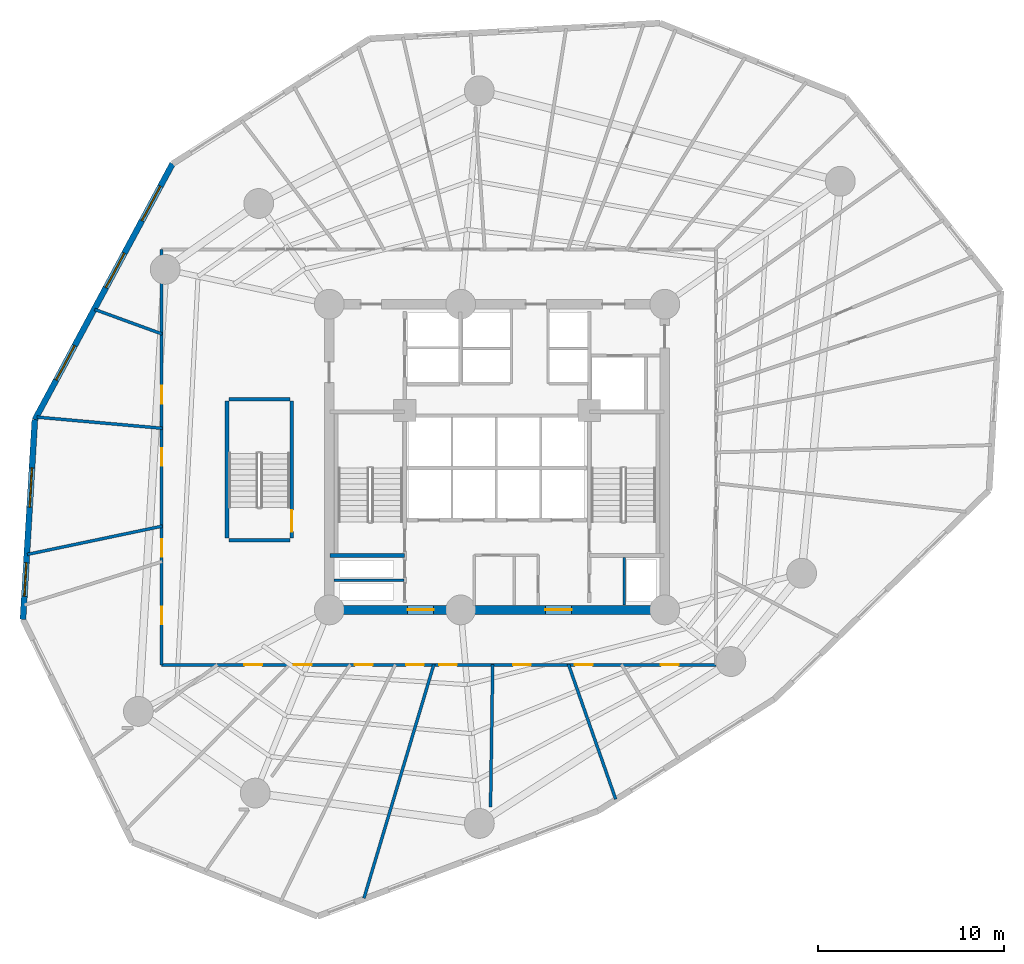
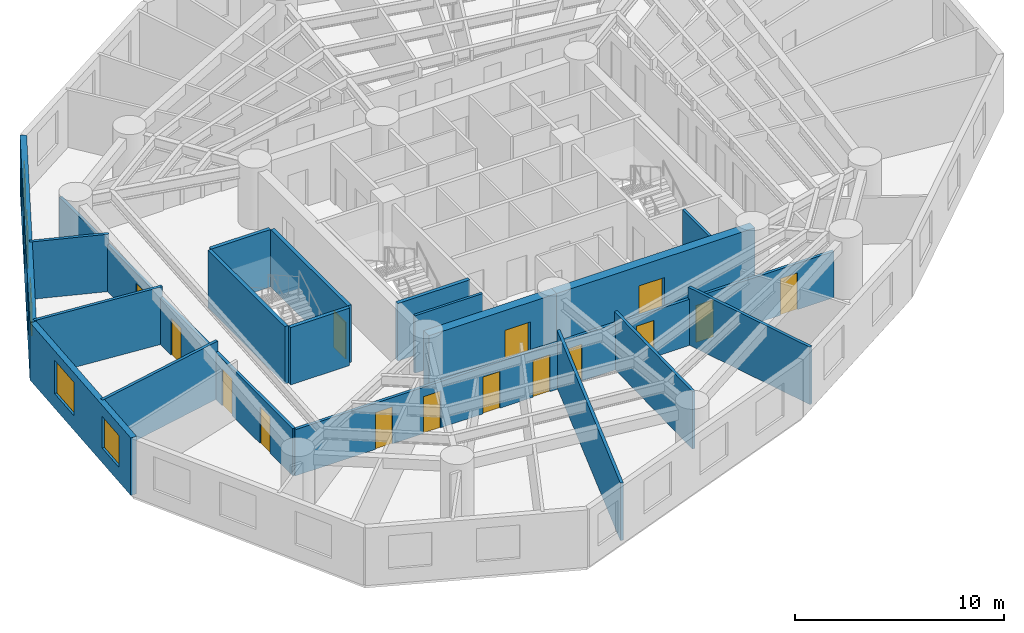
# One storey, part 3 of 8: 19 walls, 15 doors, 5 windows, 20 openings.
"""IFC4 building model written with IfcOpenShell, lengths in metres."""

from ifc_helpers import new_model, si_unit, direction, frame, frame_2d, origin, origin_with_axes, place, context, subcontext, project, spatial, rectangle, extrude, source, transform, mapped, material, layer, layer_set, type_object, element, fill, save


model = new_model("IFC4")

# Units and contexts
model_context = context("Model", 3, precision=1e-05, world=origin(), true_north=direction((0.0, 1.0)))
body_context = subcontext(model_context, "Body", "Model", "MODEL_VIEW")
ifc_project = project(units=[si_unit("LENGTHUNIT", "METRE"), si_unit("AREAUNIT", "SQUARE_METRE"), si_unit("VOLUMEUNIT", "CUBIC_METRE"), si_unit("PLANEANGLEUNIT", "RADIAN"), si_unit("MASSUNIT", "GRAM", prefix="KILO")], contexts=[model_context])

# Site, building, storey
site_placement = place(None, origin())
site = spatial("IfcSite", under=ifc_project, at=site_placement, CompositionType="ELEMENT")
building_placement = place(site_placement, origin())
building = spatial("IfcBuilding", under=site, at=building_placement, Name="Karkom Vertical University and Central Library", CompositionType="ELEMENT")
storey_placement = place(building_placement, frame((0.0, 0.0, 37.300048828125)))
storey = spatial("IfcBuildingStorey", under=building, at=storey_placement, Name="L09", CompositionType="ELEMENT", Elevation=37.300048828125)

# Wall, openings, windows
ifc_material_1 = material(Name="Brick-faced precast concrete C45/55", Category="masonry")
ifc_layer_1 = layer(ifc_material_1, 0.320068359375)
ifc_layer_set_1 = layer_set([ifc_layer_1], Name="Brick-faced precast concrete C45/55")
wall_type_1 = type_object("IfcWallType", Name="ENV-WL-BRK-320", PredefinedType="SOLIDWALL", material=ifc_layer_set_1)
wall_1_placement = place(storey_placement, frame((11.0908203125, 42.240234375, 0.0), z_axis=(0.0, 0.0, 1.0), x_axis=(-0.473721688421, -0.880674606151, 0.0)))
wall_1 = element("IfcWall", 1, at=wall_1_placement, inside=storey, type_object=wall_type_1, Name="Level 09 Brick-Faced Precast Facade Wall 02", PredefinedType="SOLIDWALL", context=body_context, shape_type="SweptSolid", body=[
    extrude(rectangle(XDim=15.594970703125, YDim=0.320068359375, at=frame_2d((7.79736328125, 0.0))), origin(), (0.0, 0.0, 1.0), 3.349853515625),
])
opening_1_placement = place(wall_1_placement, frame((1.3701171875, 0.0, 0.85009765625)))
opening_1 = element("IfcOpeningElement", 2, at=opening_1_placement, cuts=wall_1, Name="Opening WN-03", PredefinedType="OPENING", context=body_context, shape_type="SweptSolid", body=[
    extrude(rectangle(XDim=2.10009765625, YDim=1.949951171875, at=frame_2d((1.050048828125, 0.97509765625))), frame((0.0, 0.169921875, 0.0), z_axis=(0.0, -1.0, 0.0), x_axis=(1.0, 0.0, 0.0)), (0.0, 0.0, 1.0), 0.340087890625),
])
opening_2_placement = place(wall_1_placement, frame((5.4501953125, 0.0, 0.85009765625)))
opening_2 = element("IfcOpeningElement", 3, at=opening_2_placement, cuts=wall_1, Name="Opening WN-03", PredefinedType="OPENING", context=body_context, shape_type="SweptSolid", body=[
    extrude(rectangle(XDim=2.10009765625, YDim=1.949951171875, at=frame_2d((1.050048828125, 0.97509765625))), frame((0.0, 0.169921875, 0.0), z_axis=(0.0, -1.0, 0.0), x_axis=(1.0, 0.0, 0.0)), (0.0, 0.0, 1.0), 0.340087890625),
])
opening_3_placement = place(wall_1_placement, frame((11.083984375, 0.0, 0.85009765625)))
opening_3 = element("IfcOpeningElement", 4, at=opening_3_placement, cuts=wall_1, Name="Opening WN-03", PredefinedType="OPENING", context=body_context, shape_type="SweptSolid", body=[
    extrude(rectangle(XDim=2.10009765625, YDim=1.949951171875, at=frame_2d((1.050048828125, 0.97509765625))), frame((0.0, 0.169921875, 0.0), z_axis=(0.0, -1.0, 0.0), x_axis=(1.0, 0.0, 0.0)), (0.0, 0.0, 1.0), 0.340087890625),
])
ifc_material_2 = material(Name="Aluminium thermal-break frame with solar-control IGU", Category="aluminium")
window_type_1 = type_object("IfcWindowType", Name="ENV-WIN-WN-03", PartitioningType="SINGLE_PANEL", PredefinedType="WINDOW", material=ifc_material_2)
shared_shape_1 = source(origin_with_axes(), body_context, "Body", "SweptSolid", [
    extrude(rectangle(XDim=2.10009765625, YDim=1.949951171875, at=frame_2d((1.050048828125, 0.97509765625))), frame((0.0, 0.030029296875, 0.0), z_axis=(0.0, -1.0, 0.0), x_axis=(1.0, 0.0, 0.0)), (0.0, 0.0, 1.0), 0.06005859375),
])
window_1_placement = place(opening_1_placement, origin())
window_1 = element("IfcWindow", 5, at=window_1_placement, inside=storey, type_object=window_type_1, Name="Level 09 Punched Window 2.1", OverallHeight=1.949951171875, OverallWidth=2.10009765625, PartitioningType="SINGLE_PANEL", PredefinedType="WINDOW", context=body_context, shape_type="MappedRepresentation", body=[
    mapped(shared_shape_1, transform((0.0, 0.0, 0.0), scale=1.0)),
])
fill(opening_1, window_1)
window_2_placement = place(opening_2_placement, origin())
window_2 = element("IfcWindow", 6, at=window_2_placement, inside=storey, type_object=window_type_1, Name="Level 09 Punched Window 2.2", OverallHeight=1.949951171875, OverallWidth=2.10009765625, PartitioningType="SINGLE_PANEL", PredefinedType="WINDOW", context=body_context, shape_type="MappedRepresentation", body=[
    mapped(shared_shape_1, transform((0.0, 0.0, 0.0), scale=1.0)),
])
fill(opening_2, window_2)
window_3_placement = place(opening_3_placement, origin())
window_3 = element("IfcWindow", 7, at=window_3_placement, inside=storey, type_object=window_type_1, Name="Level 09 Punched Window 2.3", OverallHeight=1.949951171875, OverallWidth=2.10009765625, PartitioningType="SINGLE_PANEL", PredefinedType="WINDOW", context=body_context, shape_type="MappedRepresentation", body=[
    mapped(shared_shape_1, transform((0.0, 0.0, 0.0), scale=1.0)),
])
fill(opening_3, window_3)

wall_2_placement = place(storey_placement, frame((3.703125, 28.506103515625, 0.0), z_axis=(0.0, 0.0, 1.0), x_axis=(-0.05937546107, -0.998235720971, 0.0)))
wall_2 = element("IfcWall", 8, at=wall_2_placement, inside=storey, type_object=wall_type_1, Name="Level 09 Brick-Faced Precast Facade Wall 03", PredefinedType="SOLIDWALL", context=body_context, shape_type="SweptSolid", body=[
    extrude(rectangle(XDim=10.73193359375, YDim=0.320068359375, at=frame_2d((5.365966796875, 0.0))), origin(), (0.0, 0.0, 1.0), 3.349853515625),
])
opening_4_placement = place(wall_2_placement, frame((2.595703125, 0.0, 0.85009765625)))
opening_4 = element("IfcOpeningElement", 9, at=opening_4_placement, cuts=wall_2, Name="Opening WN-03", PredefinedType="OPENING", context=body_context, shape_type="SweptSolid", body=[
    extrude(rectangle(XDim=2.10009765625, YDim=1.949951171875, at=frame_2d((1.050048828125, 0.97509765625))), frame((0.0, 0.169921875, 0.0), z_axis=(0.0, -1.0, 0.0), x_axis=(1.0, 0.0, 0.0)), (0.0, 0.0, 1.0), 0.340087890625),
])
opening_5_placement = place(wall_2_placement, frame((7.68798828125, 0.0, 0.85009765625)))
opening_5 = element("IfcOpeningElement", 10, at=opening_5_placement, cuts=wall_2, Name="Opening WN-04", PredefinedType="OPENING", context=body_context, shape_type="SweptSolid", body=[
    extrude(rectangle(XDim=1.800048828125, YDim=1.85009765625, at=frame_2d((0.89990234375, 0.925048828125))), frame((0.0, 0.169921875, 0.0), z_axis=(0.0, -1.0, 0.0), x_axis=(1.0, 0.0, 0.0)), (0.0, 0.0, 1.0), 0.340087890625),
])
window_4_placement = place(opening_4_placement, origin())
window_4 = element("IfcWindow", 11, at=window_4_placement, inside=storey, type_object=window_type_1, Name="Level 09 Punched Window 3.1", OverallHeight=1.949951171875, OverallWidth=2.10009765625, PartitioningType="SINGLE_PANEL", PredefinedType="WINDOW", context=body_context, shape_type="MappedRepresentation", body=[
    mapped(shared_shape_1, transform((0.0, 0.0, 0.0), scale=1.0)),
])
fill(opening_4, window_4)
window_type_2 = type_object("IfcWindowType", Name="ENV-WIN-WN-04", PartitioningType="SINGLE_PANEL", PredefinedType="WINDOW", material=ifc_material_2)
shared_shape_2 = source(origin_with_axes(), body_context, "Body", "SweptSolid", [
    extrude(rectangle(XDim=1.800048828125, YDim=1.85009765625, at=frame_2d((0.89990234375, 0.925048828125))), frame((0.0, 0.030029296875, 0.0), z_axis=(0.0, -1.0, 0.0), x_axis=(1.0, 0.0, 0.0)), (0.0, 0.0, 1.0), 0.06005859375),
])
window_5_placement = place(opening_5_placement, origin())
window_5 = element("IfcWindow", 12, at=window_5_placement, inside=storey, type_object=window_type_2, Name="Level 09 Punched Window 3.2", OverallHeight=1.85009765625, OverallWidth=1.800048828125, PartitioningType="SINGLE_PANEL", PredefinedType="WINDOW", context=body_context, shape_type="MappedRepresentation", body=[
    mapped(shared_shape_2, transform((0.0, 0.0, 0.0), scale=1.0)),
])
fill(opening_5, window_5)

# Wall, openings, doors
ifc_material_3 = material(Name="Insulated metal-stud drywall 160mm", Category="gypsum")
ifc_layer_2 = layer(ifc_material_3, 0.159912109375)
ifc_layer_set_2 = layer_set([ifc_layer_2], Name="Insulated metal-stud drywall 160mm")
wall_type_2 = type_object("IfcWallType", Name="INT-WL-COR-160", PredefinedType="PARTITIONING", material=ifc_layer_set_2)
wall_3_placement = place(storey_placement, frame((40.25, 15.35009765625, 0.0), z_axis=(0.0, 0.0, 1.0), x_axis=(-1.0, 0.0, 0.0)))
wall_3 = element("IfcWall", 13, at=wall_3_placement, inside=storey, type_object=wall_type_2, Name="Level 09 Interior Partition Wall Level 09-CORW-CW-001", PredefinedType="PARTITIONING", context=body_context, shape_type="SweptSolid", body=[
    extrude(rectangle(XDim=29.75, YDim=0.159912109375, at=frame_2d((14.875, 0.0))), origin(), (0.0, 0.0, 1.0), 2.699951171875),
])
opening_6_placement = place(wall_3_placement, frame((24.350341796875, 0.0, 0.0)))
opening_6 = element("IfcOpeningElement", 14, at=opening_6_placement, cuts=wall_3, Name="Opening D-RM1", PredefinedType="OPENING", context=body_context, shape_type="SweptSolid", body=[
    extrude(rectangle(XDim=0.949951171875, YDim=2.14990234375, at=frame_2d((0.47509765625, 1.074951171875))), frame((0.0, 0.08984375, 0.0), z_axis=(0.0, -1.0, 0.0), x_axis=(1.0, 0.0, 0.0)), (0.0, 0.0, 1.0), 0.179931640625),
])
opening_7_placement = place(wall_3_placement, frame((21.697509765625, 0.0, 0.0)))
opening_7 = element("IfcOpeningElement", 15, at=opening_7_placement, cuts=wall_3, Name="Opening D-RM1", PredefinedType="OPENING", context=body_context, shape_type="SweptSolid", body=[
    extrude(rectangle(XDim=0.949951171875, YDim=2.14990234375, at=frame_2d((0.47509765625, 1.074951171875))), frame((0.0, 0.08984375, 0.0), z_axis=(0.0, -1.0, 0.0), x_axis=(1.0, 0.0, 0.0)), (0.0, 0.0, 1.0), 0.179931640625),
])
opening_8_placement = place(wall_3_placement, frame((18.422607421875, 0.0, 0.0)))
opening_8 = element("IfcOpeningElement", 16, at=opening_8_placement, cuts=wall_3, Name="Opening D-RM1", PredefinedType="OPENING", context=body_context, shape_type="SweptSolid", body=[
    extrude(rectangle(XDim=0.949951171875, YDim=2.14990234375, at=frame_2d((0.47509765625, 1.074951171875))), frame((0.0, 0.08984375, 0.0), z_axis=(0.0, -1.0, 0.0), x_axis=(1.0, 0.0, 0.0)), (0.0, 0.0, 1.0), 0.179931640625),
])
opening_9_placement = place(wall_3_placement, frame((15.67041015625, 0.0, 0.0)))
opening_9 = element("IfcOpeningElement", 17, at=opening_9_placement, cuts=wall_3, Name="Opening D-RM1", PredefinedType="OPENING", context=body_context, shape_type="SweptSolid", body=[
    extrude(rectangle(XDim=0.949951171875, YDim=2.14990234375, at=frame_2d((0.47509765625, 1.074951171875))), frame((0.0, 0.08984375, 0.0), z_axis=(0.0, -1.0, 0.0), x_axis=(1.0, 0.0, 0.0)), (0.0, 0.0, 1.0), 0.179931640625),
])
opening_10_placement = place(wall_3_placement, frame((13.909912109375, 0.0, 0.0)))
opening_10 = element("IfcOpeningElement", 18, at=opening_10_placement, cuts=wall_3, Name="Opening D-RM1", PredefinedType="OPENING", context=body_context, shape_type="SweptSolid", body=[
    extrude(rectangle(XDim=0.949951171875, YDim=2.14990234375, at=frame_2d((0.47509765625, 1.074951171875))), frame((0.0, 0.08984375, 0.0), z_axis=(0.0, -1.0, 0.0), x_axis=(1.0, 0.0, 0.0)), (0.0, 0.0, 1.0), 0.179931640625),
])
opening_11_placement = place(wall_3_placement, frame((9.9375, 0.0, 0.0)))
opening_11 = element("IfcOpeningElement", 19, at=opening_11_placement, cuts=wall_3, Name="Opening D-RM1", PredefinedType="OPENING", context=body_context, shape_type="SweptSolid", body=[
    extrude(rectangle(XDim=0.949951171875, YDim=2.14990234375, at=frame_2d((0.47509765625, 1.074951171875))), frame((0.0, 0.08984375, 0.0), z_axis=(0.0, -1.0, 0.0), x_axis=(1.0, 0.0, 0.0)), (0.0, 0.0, 1.0), 0.179931640625),
])
opening_12_placement = place(wall_3_placement, frame((6.62255859375, 0.0, 0.0)))
opening_12 = element("IfcOpeningElement", 20, at=opening_12_placement, cuts=wall_3, Name="Opening D-RM1", PredefinedType="OPENING", context=body_context, shape_type="SweptSolid", body=[
    extrude(rectangle(XDim=0.949951171875, YDim=2.14990234375, at=frame_2d((0.47509765625, 1.074951171875))), frame((0.0, 0.08984375, 0.0), z_axis=(0.0, -1.0, 0.0), x_axis=(1.0, 0.0, 0.0)), (0.0, 0.0, 1.0), 0.179931640625),
])
opening_13_placement = place(wall_3_placement, frame((2.002685546875, 0.0, 0.0)))
opening_13 = element("IfcOpeningElement", 21, at=opening_13_placement, cuts=wall_3, Name="Opening D-RM1", PredefinedType="OPENING", context=body_context, shape_type="SweptSolid", body=[
    extrude(rectangle(XDim=0.949951171875, YDim=2.14990234375, at=frame_2d((0.47509765625, 1.074951171875))), frame((0.0, 0.08984375, 0.0), z_axis=(0.0, -1.0, 0.0), x_axis=(1.0, 0.0, 0.0)), (0.0, 0.0, 1.0), 0.179931640625),
])
ifc_material_4 = material(Name="Solid-core oak veneer door", Category="wood")
door_type_1 = type_object("IfcDoorType", Name="INT-DR-RM1", OperationType="NOTDEFINED", PredefinedType="DOOR", material=ifc_material_4)
shared_shape_3 = source(origin_with_axes(), body_context, "Body", "SweptSolid", [
    extrude(rectangle(XDim=0.949951171875, YDim=2.14990234375, at=frame_2d((0.47509765625, 1.074951171875))), frame((0.0, 0.02490234375, 0.0), z_axis=(0.0, -1.0, 0.0), x_axis=(1.0, 0.0, 0.0)), (0.0, 0.0, 1.0), 0.050048828125),
])
door_1_placement = place(opening_6_placement, origin())
door_1 = element("IfcDoor", 22, at=door_1_placement, inside=storey, type_object=door_type_1, Name="Level 09 Room Entry Door 030", OperationType="SINGLE_SWING_LEFT", OverallHeight=2.14990234375, OverallWidth=0.949951171875, PredefinedType="DOOR", context=body_context, shape_type="MappedRepresentation", body=[
    mapped(shared_shape_3, transform((0.0, 0.0, 0.0), scale=1.0)),
])
fill(opening_6, door_1)
door_2_placement = place(opening_7_placement, origin())
door_2 = element("IfcDoor", 23, at=door_2_placement, inside=storey, type_object=door_type_1, Name="Level 09 Room Entry Door 040", OperationType="SINGLE_SWING_RIGHT", OverallHeight=2.14990234375, OverallWidth=0.949951171875, PredefinedType="DOOR", context=body_context, shape_type="MappedRepresentation", body=[
    mapped(shared_shape_3, transform((0.0, 0.0, 0.0), scale=1.0)),
])
fill(opening_7, door_2)
door_3_placement = place(opening_8_placement, origin())
door_3 = element("IfcDoor", 24, at=door_3_placement, inside=storey, type_object=door_type_1, Name="Level 09 Room Entry Door 050", OperationType="SINGLE_SWING_LEFT", OverallHeight=2.14990234375, OverallWidth=0.949951171875, PredefinedType="DOOR", context=body_context, shape_type="MappedRepresentation", body=[
    mapped(shared_shape_3, transform((0.0, 0.0, 0.0), scale=1.0)),
])
fill(opening_8, door_3)
door_4_placement = place(opening_9_placement, origin())
door_4 = element("IfcDoor", 25, at=door_4_placement, inside=storey, type_object=door_type_1, Name="Level 09 Room Entry Door 060", OperationType="SINGLE_SWING_RIGHT", OverallHeight=2.14990234375, OverallWidth=0.949951171875, PredefinedType="DOOR", context=body_context, shape_type="MappedRepresentation", body=[
    mapped(shared_shape_3, transform((0.0, 0.0, 0.0), scale=1.0)),
])
fill(opening_9, door_4)
door_5_placement = place(opening_10_placement, origin())
door_5 = element("IfcDoor", 26, at=door_5_placement, inside=storey, type_object=door_type_1, Name="Level 09 Room Entry Door 070", OperationType="SINGLE_SWING_LEFT", OverallHeight=2.14990234375, OverallWidth=0.949951171875, PredefinedType="DOOR", context=body_context, shape_type="MappedRepresentation", body=[
    mapped(shared_shape_3, transform((0.0, 0.0, 0.0), scale=1.0)),
])
fill(opening_10, door_5)
door_6_placement = place(opening_11_placement, origin())
door_6 = element("IfcDoor", 27, at=door_6_placement, inside=storey, type_object=door_type_1, Name="Level 09 Room Entry Door 080", OperationType="SINGLE_SWING_RIGHT", OverallHeight=2.14990234375, OverallWidth=0.949951171875, PredefinedType="DOOR", context=body_context, shape_type="MappedRepresentation", body=[
    mapped(shared_shape_3, transform((0.0, 0.0, 0.0), scale=1.0)),
])
fill(opening_11, door_6)
door_7_placement = place(opening_12_placement, origin())
door_7 = element("IfcDoor", 28, at=door_7_placement, inside=storey, type_object=door_type_1, Name="Level 09 Room Entry Door 090", OperationType="SINGLE_SWING_LEFT", OverallHeight=2.14990234375, OverallWidth=0.949951171875, PredefinedType="DOOR", context=body_context, shape_type="MappedRepresentation", body=[
    mapped(shared_shape_3, transform((0.0, 0.0, 0.0), scale=1.0)),
])
fill(opening_12, door_7)
door_8_placement = place(opening_13_placement, origin())
door_8 = element("IfcDoor", 29, at=door_8_placement, inside=storey, type_object=door_type_1, Name="Level 09 Room Entry Door 100", OperationType="SINGLE_SWING_RIGHT", OverallHeight=2.14990234375, OverallWidth=0.949951171875, PredefinedType="DOOR", context=body_context, shape_type="MappedRepresentation", body=[
    mapped(shared_shape_3, transform((0.0, 0.0, 0.0), scale=1.0)),
])
fill(opening_13, door_8)

wall_4_placement = place(storey_placement, frame((10.5, 15.35009765625, 0.0), z_axis=(0.0, 0.0, 1.0), x_axis=(0.0, 1.0, 0.0)))
wall_4 = element("IfcWall", 30, at=wall_4_placement, inside=storey, type_object=wall_type_2, Name="Level 09 Interior Partition Wall Level 09-CORW-CW-002", PredefinedType="PARTITIONING", context=body_context, shape_type="SweptSolid", body=[
    extrude(rectangle(XDim=22.2998046875, YDim=0.159912109375, at=frame_2d((11.14990234375, 0.0))), origin(), (0.0, 0.0, 1.0), 2.75),
])
opening_14_placement = place(wall_4_placement, frame((10.675048828125, 0.0, 0.0)))
opening_14 = element("IfcOpeningElement", 31, at=opening_14_placement, cuts=wall_4, Name="Opening D-RM1", PredefinedType="OPENING", context=body_context, shape_type="SweptSolid", body=[
    extrude(rectangle(XDim=0.949951171875, YDim=2.14990234375, at=frame_2d((0.47509765625, 1.074951171875))), frame((0.0, 0.08984375, 0.0), z_axis=(0.0, -1.0, 0.0), x_axis=(1.0, 0.0, 0.0)), (0.0, 0.0, 1.0), 0.179931640625),
])
opening_15_placement = place(wall_4_placement, frame((5.7900390625, 0.0, 0.0)))
opening_15 = element("IfcOpeningElement", 32, at=opening_15_placement, cuts=wall_4, Name="Opening FD-RM2", PredefinedType="OPENING", context=body_context, shape_type="SweptSolid", body=[
    extrude(rectangle(XDim=0.9599609375, YDim=2.14990234375, at=frame_2d((0.47998046875, 1.074951171875))), frame((0.0, 0.08984375, 0.0), z_axis=(0.0, -1.0, 0.0), x_axis=(1.0, 0.0, 0.0)), (0.0, 0.0, 1.0), 0.179931640625),
])
opening_16_placement = place(wall_4_placement, frame((2.177490234375, 0.0, 0.0)))
opening_16 = element("IfcOpeningElement", 33, at=opening_16_placement, cuts=wall_4, Name="Opening D-RM1", PredefinedType="OPENING", context=body_context, shape_type="SweptSolid", body=[
    extrude(rectangle(XDim=0.949951171875, YDim=2.14990234375, at=frame_2d((0.47509765625, 1.074951171875))), frame((0.0, 0.08984375, 0.0), z_axis=(0.0, -1.0, 0.0), x_axis=(1.0, 0.0, 0.0)), (0.0, 0.0, 1.0), 0.179931640625),
])
opening_17_placement = place(wall_4_placement, frame((14.02001953125, 0.0, 0.0)))
opening_17 = element("IfcOpeningElement", 34, at=opening_17_placement, cuts=wall_4, Name="Opening D-RM1", PredefinedType="OPENING", context=body_context, shape_type="SweptSolid", body=[
    extrude(rectangle(XDim=0.949951171875, YDim=2.14990234375, at=frame_2d((0.47509765625, 1.074951171875))), frame((0.0, 0.08984375, 0.0), z_axis=(0.0, -1.0, 0.0), x_axis=(1.0, 0.0, 0.0)), (0.0, 0.0, 1.0), 0.179931640625),
])
ifc_material_5 = material(Name="Fire-rated oak veneer door", Category="wood")
door_type_2 = type_object("IfcDoorType", Name="INT-DR-FRM2", OperationType="NOTDEFINED", PredefinedType="DOOR", material=ifc_material_5)
shared_shape_4 = source(origin_with_axes(), body_context, "Body", "SweptSolid", [
    extrude(rectangle(XDim=0.9599609375, YDim=2.14990234375, at=frame_2d((0.47998046875, 1.074951171875))), frame((0.0, 0.02490234375, 0.0), z_axis=(0.0, -1.0, 0.0), x_axis=(1.0, 0.0, 0.0)), (0.0, 0.0, 1.0), 0.050048828125),
])
door_9_placement = place(opening_15_placement, origin())
door_9 = element("IfcDoor", 35, at=door_9_placement, inside=storey, type_object=door_type_2, Name="Level 09 Room Entry Door 010", OperationType="SINGLE_SWING_LEFT", OverallHeight=2.14990234375, OverallWidth=0.9599609375, PredefinedType="DOOR", context=body_context, shape_type="MappedRepresentation", body=[
    mapped(shared_shape_4, transform((0.0, 0.0, 0.0), scale=1.0)),
])
fill(opening_15, door_9)
door_10_placement = place(opening_14_placement, origin())
door_10 = element("IfcDoor", 36, at=door_10_placement, inside=storey, type_object=door_type_1, Name="Level 09 Room Entry Door 000", OperationType="SINGLE_SWING_RIGHT", OverallHeight=2.14990234375, OverallWidth=0.949951171875, PredefinedType="DOOR", context=body_context, shape_type="MappedRepresentation", body=[
    mapped(shared_shape_3, transform((0.0, 0.0, 0.0), scale=1.0)),
])
fill(opening_14, door_10)
door_11_placement = place(opening_16_placement, origin())
door_11 = element("IfcDoor", 37, at=door_11_placement, inside=storey, type_object=door_type_1, Name="Level 09 Room Entry Door 020", OperationType="SINGLE_SWING_RIGHT", OverallHeight=2.14990234375, OverallWidth=0.949951171875, PredefinedType="DOOR", context=body_context, shape_type="MappedRepresentation", body=[
    mapped(shared_shape_3, transform((0.0, 0.0, 0.0), scale=1.0)),
])
fill(opening_16, door_11)
door_12_placement = place(opening_17_placement, origin())
door_12 = element("IfcDoor", 38, at=door_12_placement, inside=storey, type_object=door_type_1, Name="Level 09 Room Entry Door 300", OperationType="SINGLE_SWING_LEFT", OverallHeight=2.14990234375, OverallWidth=0.949951171875, PredefinedType="DOOR", context=body_context, shape_type="MappedRepresentation", body=[
    mapped(shared_shape_3, transform((0.0, 0.0, 0.0), scale=1.0)),
])
fill(opening_17, door_12)

# Walls
wall_5_placement = place(storey_placement, frame((25.11669921875, 15.39306640625, 0.0), z_axis=(0.0, 0.0, 1.0), x_axis=(-0.286428898558, -0.958101500923, 0.0)))
element("IfcWall", 39, at=wall_5_placement, inside=storey, type_object=wall_type_2, Name="Level 09 Interior Partition Wall Level 09-PW-012", PredefinedType="PARTITIONING", context=body_context, shape_type="SweptSolid", body=[
    extrude(rectangle(XDim=13.114501953125, YDim=0.159912109375, at=frame_2d((6.55712890625, 0.0))), origin(), (0.0, 0.0, 1.0), 3.349853515625),
])
wall_6_placement = place(storey_placement, frame((28.268798828125, 15.3798828125, 0.0), z_axis=(0.0, 0.0, 1.0), x_axis=(-0.015400941242, -0.999881398471, 0.0)))
element("IfcWall", 40, at=wall_6_placement, inside=storey, type_object=wall_type_2, Name="Level 09 Interior Partition Wall Level 09-PW-013", PredefinedType="PARTITIONING", context=body_context, shape_type="SweptSolid", body=[
    extrude(rectangle(XDim=7.65673828125, YDim=0.159912109375, at=frame_2d((3.828369140625, 0.0))), origin(), (0.0, 0.0, 1.0), 3.349853515625),
])
wall_7_placement = place(storey_placement, frame((32.32763671875, 15.392578125, 0.0), z_axis=(0.0, 0.0, 1.0), x_axis=(0.330625023537, -0.94376220194, 0.0)))
element("IfcWall", 41, at=wall_7_placement, inside=storey, type_object=wall_type_2, Name="Level 09 Interior Partition Wall Level 09-PW-014", PredefinedType="PARTITIONING", context=body_context, shape_type="SweptSolid", body=[
    extrude(rectangle(XDim=7.6826171875, YDim=0.159912109375, at=frame_2d((3.84130859375, 0.0))), origin(), (0.0, 0.0, 1.0), 3.349853515625),
])
wall_8_placement = place(storey_placement, frame((10.544189453125, 22.795654296875, 0.0), z_axis=(0.0, 0.0, 1.0), x_axis=(-0.978712568424, -0.205235738625, 0.0)))
element("IfcWall", 42, at=wall_8_placement, inside=storey, type_object=wall_type_2, Name="Level 09 Interior Partition Wall Level 09-PW-001", PredefinedType="PARTITIONING", context=body_context, shape_type="SweptSolid", body=[
    extrude(rectangle(XDim=7.4013671875, YDim=0.159912109375, at=frame_2d((3.70068359375, 0.0))), origin(), (0.0, 0.0, 1.0), 3.349853515625),
])
wall_9_placement = place(storey_placement, frame((3.81201171875, 28.644775390625, 0.0), z_axis=(0.0, 0.0, 1.0), x_axis=(0.996035534111, -0.088956252104, 0.0)))
element("IfcWall", 43, at=wall_9_placement, inside=storey, type_object=wall_type_2, Name="Level 09 Interior Partition Wall Level 09-PW-002", PredefinedType="PARTITIONING", context=body_context, shape_type="SweptSolid", body=[
    extrude(rectangle(XDim=6.759765625, YDim=0.159912109375, at=frame_2d((3.3798828125, 0.0))), origin(), (0.0, 0.0, 1.0), 3.349853515625),
])
wall_10_placement = place(storey_placement, frame((10.5283203125, 33.10498046875, 0.0), z_axis=(0.0, 0.0, 1.0), x_axis=(-0.939684038964, 0.342043720768, 0.0)))
element("IfcWall", 44, at=wall_10_placement, inside=storey, type_object=wall_type_2, Name="Level 09 Interior Partition Wall Level 09-PW-036", PredefinedType="PARTITIONING", context=body_context, shape_type="SweptSolid", body=[
    extrude(rectangle(XDim=3.846435546875, YDim=0.159912109375, at=frame_2d((1.92333984375, 0.0))), origin(), (0.0, 0.0, 1.0), 3.349853515625),
])
ifc_material_6 = material(Name="Metal-stud gypsum partition 140mm", Category="gypsum")
ifc_layer_3 = layer(ifc_material_6, 0.139892578125)
ifc_layer_set_3 = layer_set([ifc_layer_3], Name="Metal-stud gypsum partition 140mm")
wall_type_3 = type_object("IfcWallType", Name="INT-WL-SUB-140H", PredefinedType="PARTITIONING", material=ifc_layer_set_3)
wall_11_placement = place(storey_placement, frame((19.757080078125, 19.889892578125, 0.0), z_axis=(0.0, 0.0, 1.0), x_axis=(1.0, 0.0, 0.0)))
element("IfcWall", 45, at=wall_11_placement, inside=storey, type_object=wall_type_3, Name="Level 09 Interior Partition Wall Level 09-CW-RIS-W", PredefinedType="PARTITIONING", context=body_context, shape_type="SweptSolid", body=[
    extrude(rectangle(XDim=3.7392578125, YDim=0.139892578125, at=frame_2d((1.86962890625, 0.0))), origin(), (0.0, 0.0, 1.0), 3.349853515625),
])
wall_12_placement = place(storey_placement, frame((35.320068359375, 18.556884765625, 0.0), z_axis=(0.0, 0.0, 1.0), x_axis=(0.0, 1.0, 0.0)))
element("IfcWall", 46, at=wall_12_placement, inside=storey, type_object=wall_type_3, Name="Level 09 Interior Partition Wall Level 09-CW-RIS-E", PredefinedType="PARTITIONING", context=body_context, shape_type="SweptSolid", body=[
    extrude(rectangle(XDim=2.553466796875, YDim=0.139892578125, at=frame_2d((1.27685546875, 0.0))), origin(), (0.0, 0.0, 1.0), 3.349853515625),
])

# Wall, opening, door
ifc_material_7 = material(Name="Concrete C50/60", Category="concrete")
ifc_layer_4 = layer(ifc_material_7, 0.5)
ifc_layer_set_4 = layer_set([ifc_layer_4], Name="Concrete C50/60")
wall_type_4 = type_object("IfcWallType", Name="STR-WL-CW-500", PredefinedType="SHEAR", material=ifc_layer_set_4)
wall_13_placement = place(storey_placement, frame((19.5, 18.300048828125, 0.0), z_axis=(0.0, 0.0, 1.0), x_axis=(1.0, 0.0, 0.0)))
wall_13 = element("IfcWall", 47, at=wall_13_placement, inside=storey, type_object=wall_type_4, Name="Level 09 Central Core Shear Wall SW1", PredefinedType="SHEAR", context=body_context, shape_type="SweptSolid", body=[
    extrude(rectangle(XDim=7.050048828125, YDim=0.5, at=frame_2d((3.52490234375, 0.0))), origin(), (0.0, 0.0, 1.0), 3.349853515625),
])
opening_18_placement = place(wall_13_placement, frame((4.199951171875, 0.0, 0.0)))
opening_18 = element("IfcOpeningElement", 48, at=opening_18_placement, cuts=wall_13, Name="Opening FD-CLB", PredefinedType="OPENING", context=body_context, shape_type="SweptSolid", body=[
    extrude(rectangle(XDim=1.39990234375, YDim=2.199951171875, at=frame_2d((0.699951171875, 1.10009765625))), frame((0.0, 0.260009765625, 0.0), z_axis=(0.0, -1.0, 0.0), x_axis=(1.0, 0.0, 0.0)), (0.0, 0.0, 1.0), 0.52001953125),
])
ifc_material_8 = material(Name="Painted steel fire door", Category="steel")
door_type_3 = type_object("IfcDoorType", Name="INT-DR-CLB", OperationType="DOUBLE_DOOR_SINGLE_SWING", PredefinedType="DOOR", material=ifc_material_8)
shared_shape_5 = source(origin_with_axes(), body_context, "Body", "SweptSolid", [
    extrude(rectangle(XDim=1.39990234375, YDim=2.199951171875, at=frame_2d((0.699951171875, 1.10009765625))), frame((0.0, 0.02490234375, 0.0), z_axis=(0.0, -1.0, 0.0), x_axis=(1.0, 0.0, 0.0)), (0.0, 0.0, 1.0), 0.050048828125),
])
door_13_placement = place(opening_18_placement, origin())
door_13 = element("IfcDoor", 49, at=door_13_placement, inside=storey, type_object=door_type_3, Name="Level 09 South Core Lobby West Exit Door", OperationType="DOUBLE_DOOR_SINGLE_SWING", OverallHeight=2.199951171875, OverallWidth=1.39990234375, PredefinedType="DOOR", context=body_context, shape_type="MappedRepresentation", body=[
    mapped(shared_shape_5, transform((0.0, 0.0, 0.0), scale=1.0)),
])
fill(opening_18, door_13)

wall_14_placement = place(storey_placement, frame((26.550048828125, 18.300048828125, 0.0), z_axis=(0.0, 0.0, 1.0), x_axis=(1.0, 0.0, 0.0)))
wall_14 = element("IfcWall", 50, at=wall_14_placement, inside=storey, type_object=wall_type_4, Name="Level 09 Central Core Shear Wall SW2", PredefinedType="SHEAR", context=body_context, shape_type="SweptSolid", body=[
    extrude(rectangle(XDim=10.949951171875, YDim=0.5, at=frame_2d((5.47509765625, 0.0))), origin(), (0.0, 0.0, 1.0), 3.349853515625),
])
opening_19_placement = place(wall_14_placement, frame((4.550048828125, 0.0, 0.0)))
opening_19 = element("IfcOpeningElement", 51, at=opening_19_placement, cuts=wall_14, Name="Opening FD-CLB", PredefinedType="OPENING", context=body_context, shape_type="SweptSolid", body=[
    extrude(rectangle(XDim=1.39990234375, YDim=2.199951171875, at=frame_2d((0.699951171875, 1.10009765625))), frame((0.0, 0.260009765625, 0.0), z_axis=(0.0, -1.0, 0.0), x_axis=(1.0, 0.0, 0.0)), (0.0, 0.0, 1.0), 0.52001953125),
])
door_14_placement = place(opening_19_placement, origin())
door_14 = element("IfcDoor", 52, at=door_14_placement, inside=storey, type_object=door_type_3, Name="Level 09 South Core Lobby East Exit Door", OperationType="DOUBLE_DOOR_SINGLE_SWING", OverallHeight=2.199951171875, OverallWidth=1.39990234375, PredefinedType="DOOR", context=body_context, shape_type="MappedRepresentation", body=[
    mapped(shared_shape_5, transform((0.0, 0.0, 0.0), scale=1.0)),
])
fill(opening_19, door_14)

# Wall
ifc_material_9 = material(Name="Concrete C45/55", Category="concrete")
ifc_layer_5 = layer(ifc_material_9, 0.199951171875)
ifc_layer_set_5 = layer_set([ifc_layer_5], Name="Concrete C45/55")
wall_type_5 = type_object("IfcWallType", Name="STR-WL-ST-200", PredefinedType="SHEAR", material=ifc_layer_set_5)
wall_15_placement = place(storey_placement, frame((14.014892578125, 22.14990234375, 0.0), z_axis=(0.0, 0.0, 1.0), x_axis=(0.0, 1.0, 0.0)))
element("IfcWall", 53, at=wall_15_placement, inside=storey, type_object=wall_type_5, Name="Level 09 Core Shaft Wall Level 09-W-ST3-W", PredefinedType="SHEAR", context=body_context, shape_type="SweptSolid", body=[
    extrude(rectangle(XDim=7.35009765625, YDim=0.199951171875, at=frame_2d((3.675048828125, 0.0))), origin(), (0.0, 0.0, 1.0), 3.349853515625),
])

# Wall, opening, door
wall_16_placement = place(storey_placement, frame((17.485107421875, 22.14990234375, 0.0), z_axis=(0.0, 0.0, 1.0), x_axis=(0.0, 1.0, 0.0)))
wall_16 = element("IfcWall", 54, at=wall_16_placement, inside=storey, type_object=wall_type_5, Name="Level 09 Core Shaft Wall Level 09-W-ST3-E", PredefinedType="SHEAR", context=body_context, shape_type="SweptSolid", body=[
    extrude(rectangle(XDim=7.35009765625, YDim=0.199951171875, at=frame_2d((3.675048828125, 0.0))), origin(), (0.0, 0.0, 1.0), 3.349853515625),
])
opening_20_placement = place(wall_16_placement, frame((0.35009765625, 0.0, 0.0)))
opening_20 = element("IfcOpeningElement", 55, at=opening_20_placement, cuts=wall_16, Name="Opening FD-ST1", PredefinedType="OPENING", context=body_context, shape_type="SweptSolid", body=[
    extrude(rectangle(XDim=1.14990234375, YDim=2.14990234375, at=frame_2d((0.574951171875, 1.074951171875))), frame((0.0, 0.10986328125, 0.0), z_axis=(0.0, -1.0, 0.0), x_axis=(1.0, 0.0, 0.0)), (0.0, 0.0, 1.0), 0.219970703125),
])
ifc_material_10 = material(Name="Painted steel acoustic fire door", Category="steel")
door_type_4 = type_object("IfcDoorType", Name="INT-DR-ST1", OperationType="NOTDEFINED", PredefinedType="DOOR", material=ifc_material_10)
shared_shape_6 = source(origin_with_axes(), body_context, "Body", "SweptSolid", [
    extrude(rectangle(XDim=1.14990234375, YDim=2.14990234375, at=frame_2d((0.574951171875, 1.074951171875))), frame((0.0, 0.02490234375, 0.0), z_axis=(0.0, -1.0, 0.0), x_axis=(1.0, 0.0, 0.0)), (0.0, 0.0, 1.0), 0.050048828125),
])
door_15_placement = place(opening_20_placement, origin())
door_15 = element("IfcDoor", 56, at=door_15_placement, inside=storey, type_object=door_type_4, Name="Level 09 Stair ST-3 Fire Door", OperationType="SINGLE_SWING_LEFT", OverallHeight=2.14990234375, OverallWidth=1.14990234375, PredefinedType="DOOR", context=body_context, shape_type="MappedRepresentation", body=[
    mapped(shared_shape_6, transform((0.0, 0.0, 0.0), scale=1.0)),
])
fill(opening_20, door_15)

# Walls
wall_17_placement = place(storey_placement, frame((19.550048828125, 21.215087890625, 0.0), z_axis=(0.0, 0.0, 1.0), x_axis=(1.0, 0.0, 0.0)))
element("IfcWall", 57, at=wall_17_placement, inside=storey, type_object=wall_type_5, Name="Level 09 Core Shaft Wall Level 09-CW-ST1-S", PredefinedType="SHEAR", context=body_context, shape_type="SweptSolid", body=[
    extrude(rectangle(XDim=3.994873046875, YDim=0.199951171875, at=frame_2d((1.99755859375, 0.0))), origin(), (0.0, 0.0, 1.0), 3.349853515625),
])
for number, where, z_axis, x_axis, name in (
    (58, (14.1201171875, 22.044921875, 0.0), (0.0, 0.0, 1.0), (1.0, 0.0, 0.0), "Level 09 Core Shaft Wall Level 09-W-ST3-S"),
    (59, (14.1201171875, 29.60498046875, 0.0), (0.0, 0.0, 1.0), (1.0, 0.0, 0.0), "Level 09 Core Shaft Wall Level 09-W-ST3-N"),
):
    element("IfcWall", number, at=place(storey_placement, frame(where, z_axis=z_axis, x_axis=x_axis)), inside=storey, type_object=wall_type_5, Name=name, PredefinedType="SHEAR", context=body_context, shape_type="SweptSolid", body=[
        extrude(rectangle(XDim=3.259765625, YDim=0.199951171875, at=frame_2d((1.6298828125, 0.0))), origin(), (0.0, 0.0, 1.0), 3.349853515625),
    ])

save(model, "model.ifc")
